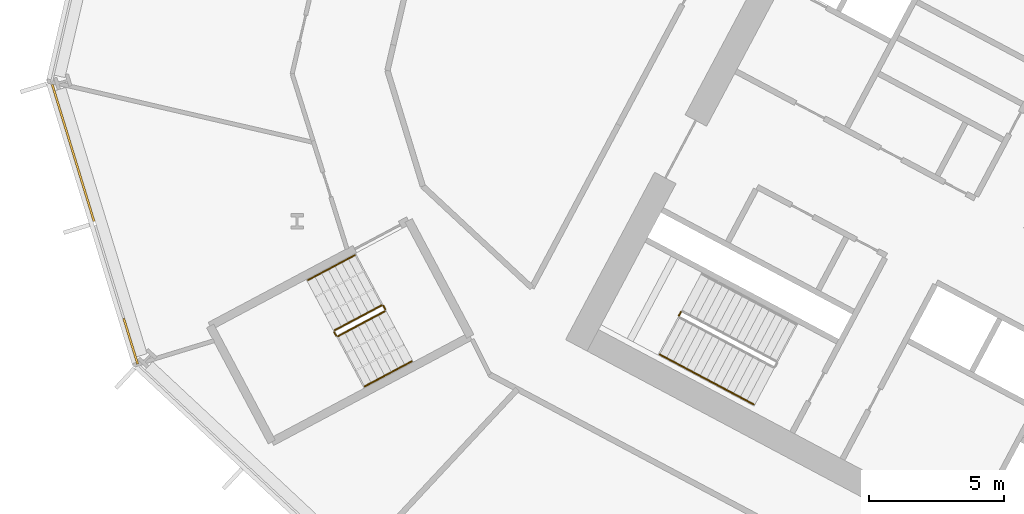
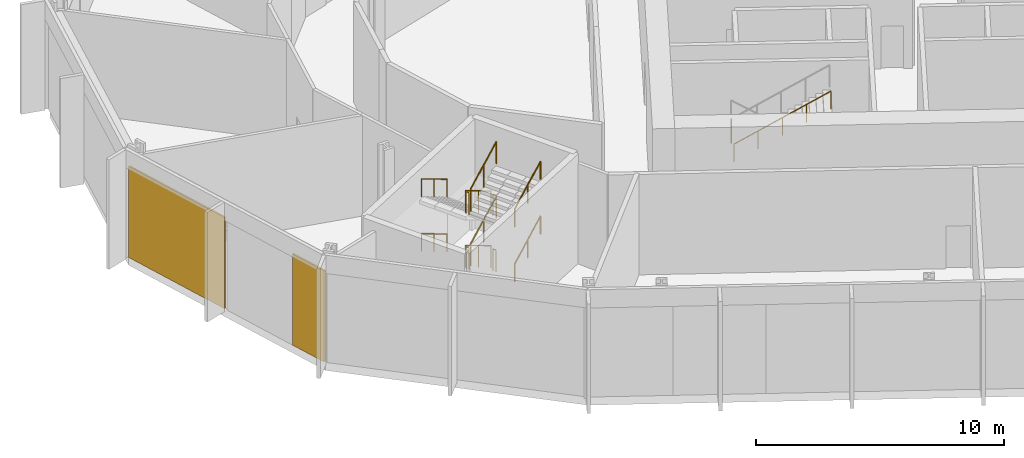
# One storey, part 21 of 30: 14 railings, 2 coverings, 1 element without a shape of its own.
"""IFC4 building model written with IfcOpenShell, lengths in metres."""

from ifc_helpers import new_model, si_unit, direction, frame, origin, origin_2d, place, context, subcontext, project, spatial, polyline, rectangle, outline, extrude, material, layer, layer_set, type_object, element, aggregate, save


model = new_model("IFC4")

# Units and contexts
model_context = context("Model", 3, precision=1e-05, world=origin(), true_north=direction((0.0, 1.0)))
body_context = subcontext(model_context, "Body", "Model", "MODEL_VIEW")
ifc_project = project(units=[si_unit("LENGTHUNIT", "METRE"), si_unit("AREAUNIT", "SQUARE_METRE"), si_unit("VOLUMEUNIT", "CUBIC_METRE"), si_unit("PLANEANGLEUNIT", "RADIAN"), si_unit("MASSUNIT", "GRAM", prefix="KILO")], contexts=[model_context])

# Site, building, storey
site_placement = place(None, origin())
site = spatial("IfcSite", under=ifc_project, at=site_placement, CompositionType="ELEMENT")
building_placement = place(site_placement, origin())
building = spatial("IfcBuilding", under=site, at=building_placement, Name="Cormorant Relay Tower", CompositionType="ELEMENT")
storey_placement = place(building_placement, frame((0.0, 0.0, 55.39990234375)))
storey = spatial("IfcBuildingStorey", under=building, at=storey_placement, Name="L10", CompositionType="ELEMENT", Elevation=55.39990234375)

# Curtain wall, coverings
ifc_material_1 = material(Name="Aluminium 6063-T6 anodised bronze", Category="aluminium")
ifc_layer_1 = layer(ifc_material_1, 0.235107421875)
ifc_layer_set_1 = layer_set([ifc_layer_1], Name="CW6 data hall curtain wall with mineral wool panels")
curtain_wall_type = type_object("IfcCurtainWallType", Name="CW6 data hall curtain wall with mineral wool panels", PredefinedType="NOTDEFINED", material=ifc_layer_set_1)
curtain_wall_placement = place(storey_placement, origin())
curtain_wall = element("IfcCurtainWall", 1, at=curtain_wall_placement, inside=storey, type_object=curtain_wall_type, Name="CW6 curtain wall 12", PredefinedType="NOTDEFINED")
ifc_material_2 = material(Name="Mineral wool cored anodised bronze aluminium cassette panel", Category="aluminium")
ifc_layer_2 = layer(ifc_material_2, 0.074951171875)
ifc_layer_set_2 = layer_set([ifc_layer_2], Name="CW6 mineral wool cassette panel 75")
covering_type = type_object("IfcCoveringType", Name="CW6 mineral wool cassette panel 75", PredefinedType="CLADDING", material=ifc_layer_set_2)
covering_1_placement = place(storey_placement, frame((-59.961181640625, 17.783447265625, 0.0), z_axis=(0.0, 0.0, 1.0), x_axis=(0.292371704723, -0.956304755963, 0.0)))
covering_1 = element("IfcCovering", 2, at=covering_1_placement, type_object=covering_type, Name="CW6 panel S00", PredefinedType="CLADDING", context=body_context, shape_type="SweptSolid", body=[
    extrude(rectangle(XDim=5.28515625, YDim=0.074951171875, at=origin_2d()), origin(), (0.0, 0.0, 1.0), 4.5),
])
covering_2_placement = place(storey_placement, frame((-57.834716796875, 10.82861328125, 0.0), z_axis=(0.0, 0.0, 1.0), x_axis=(0.292371704723, -0.956304755963, 0.0)))
covering_2 = element("IfcCovering", 3, at=covering_2_placement, type_object=covering_type, Name="CW6 panel S02", PredefinedType="CLADDING", context=body_context, shape_type="SweptSolid", body=[
    extrude(rectangle(XDim=1.76025390625, YDim=0.074951171875, at=origin_2d()), origin(), (0.0, 0.0, 1.0), 4.5),
])
aggregate(curtain_wall, [covering_1, covering_2])

# Railings
ifc_material_3 = material(Name="Steel ASTM A572 Grade 50 (Fy 345 MPa)", Category="steel")
railing_type_1 = type_object("IfcRailingType", Name="Stair guard 1100", PredefinedType="GUARDRAIL", material=ifc_material_3)
railing_1_placement = place(storey_placement, frame((-37.52099609375, 11.908935546875, 2.7001953125)))
element("IfcRailing", 4, at=railing_1_placement, inside=storey, type_object=railing_type_1, Name="L10 A2 stair guard 2", PredefinedType="GUARDRAIL", context=body_context, shape_type="SweptSolid", body=[
    extrude(outline(polyline([(0.022216796875, 0.00927734375), (0.00927734375, 0.022216796875), (-0.00927734375, 0.022216796875), (-0.022216796875, 0.00927734375), (-0.022216796875, -0.00927734375), (-0.00927734375, -0.022216796875), (0.00927734375, -0.022216796875), (0.022216796875, -0.00927734375), (0.022216796875, 0.00927734375)])), frame((0.0, 0.0, 1.076171875), z_axis=(-0.469234640946, -0.883073525669, 0.0), x_axis=(0.883073525669, -0.469234640946, 0.0)), (0.0, 0.0, 1.0), 0.14990234375),
    extrude(outline(polyline([(0.019287109375, 0.008056640625), (0.008056640625, 0.019287109375), (-0.008056640625, 0.019287109375), (-0.019287109375, 0.008056640625), (-0.019287109375, -0.008056640625), (-0.008056640625, -0.019287109375), (0.008056640625, -0.019287109375), (0.019287109375, -0.008056640625), (0.019287109375, 0.008056640625)])), origin(), (0.0, 0.0, 1.0), 1.052001953125),
    extrude(outline(polyline([(0.019287109375, 0.008056640625), (0.008056640625, 0.019287109375), (-0.008056640625, 0.019287109375), (-0.019287109375, 0.008056640625), (-0.019287109375, -0.008056640625), (-0.008056640625, -0.019287109375), (0.008056640625, -0.019287109375), (0.019287109375, -0.008056640625), (0.019287109375, 0.008056640625)])), frame((-0.0703125, -0.13232421875, 0.0)), (0.0, 0.0, 1.0), 1.052001953125),
])
railing_2_placement = place(storey_placement, frame((-48.5693359375, 12.155517578125, 0.1689453125)))
element("IfcRailing", 5, at=railing_2_placement, inside=storey, type_object=railing_type_1, Name="L10 RP1 stair guard 1", PredefinedType="GUARDRAIL", context=body_context, shape_type="SweptSolid", body=[
    extrude(outline(polyline([(0.022216796875, 0.00927734375), (0.00927734375, 0.022216796875), (-0.00927734375, 0.022216796875), (-0.022216796875, 0.00927734375), (-0.022216796875, -0.00927734375), (-0.00927734375, -0.022216796875), (0.00927734375, -0.022216796875), (0.022216796875, -0.00927734375), (0.022216796875, 0.00927734375)])), frame((0.0, 0.0, 1.076171875), z_axis=(-0.756267991755, -0.402084082512, 0.516127034012), x_axis=(0.469443581604, -0.882962470149, 0.0)), (0.0, 0.0, 1.0), 2.28857421875),
    extrude(outline(polyline([(0.019287109375, 0.008056640625), (0.008056640625, 0.019287109375), (-0.008056640625, 0.019287109375), (-0.019287109375, 0.008056640625), (-0.019287109375, -0.008056640625), (-0.008056640625, -0.019287109375), (0.008056640625, -0.019287109375), (0.019287109375, -0.008056640625), (0.019287109375, 0.008056640625)])), origin(), (0.0, 0.0, 1.0), 1.052001953125),
    extrude(outline(polyline([(0.019287109375, 0.008056640625), (0.008056640625, 0.019287109375), (-0.008056640625, 0.019287109375), (-0.019287109375, 0.008056640625), (-0.019287109375, -0.008056640625), (-0.008056640625, -0.019287109375), (0.008056640625, -0.019287109375), (0.019287109375, -0.008056640625), (0.019287109375, 0.008056640625)])), frame((-0.865234375, -0.4599609375, 0.590576171875)), (0.0, 0.0, 1.0), 1.052001953125),
    extrude(outline(polyline([(0.019287109375, 0.008056640625), (0.008056640625, 0.019287109375), (-0.008056640625, 0.019287109375), (-0.019287109375, 0.008056640625), (-0.019287109375, -0.008056640625), (-0.008056640625, -0.019287109375), (0.008056640625, -0.019287109375), (0.019287109375, -0.008056640625), (0.019287109375, 0.008056640625)])), frame((-1.730712890625, -0.920166015625, 1.18115234375)), (0.0, 0.0, 1.0), 1.052001953125),
])
railing_3_placement = place(storey_placement, frame((-50.320556640625, 11.167724609375, 1.35009765625)))
element("IfcRailing", 6, at=railing_3_placement, inside=storey, type_object=railing_type_1, Name="L10 RP1 stair guard 2", PredefinedType="GUARDRAIL", context=body_context, shape_type="SweptSolid", body=[
    extrude(outline(polyline([(0.022216796875, 0.00927734375), (0.00927734375, 0.022216796875), (-0.00927734375, 0.022216796875), (-0.022216796875, 0.00927734375), (-0.022216796875, -0.00927734375), (-0.00927734375, -0.022216796875), (0.00927734375, -0.022216796875), (0.022216796875, -0.00927734375), (0.022216796875, 0.00927734375)])), frame((0.0, 0.0, 1.076171875), z_axis=(0.46856034887, -0.8834314911, 0.0), x_axis=(0.8834314911, 0.46856034887, 0.0)), (0.0, 0.0, 1.0), 0.150146484375),
    extrude(outline(polyline([(0.019287109375, 0.008056640625), (0.008056640625, 0.019287109375), (-0.008056640625, 0.019287109375), (-0.019287109375, 0.008056640625), (-0.019287109375, -0.008056640625), (-0.008056640625, -0.019287109375), (0.008056640625, -0.019287109375), (0.019287109375, -0.008056640625), (0.019287109375, 0.008056640625)])), origin(), (0.0, 0.0, 1.0), 1.052001953125),
    extrude(outline(polyline([(0.019287109375, 0.008056640625), (0.008056640625, 0.019287109375), (-0.008056640625, 0.019287109375), (-0.019287109375, 0.008056640625), (-0.019287109375, -0.008056640625), (-0.008056640625, -0.019287109375), (0.008056640625, -0.019287109375), (0.019287109375, -0.008056640625), (0.019287109375, 0.008056640625)])), frame((0.0703125, -0.132568359375, 0.0)), (0.0, 0.0, 1.0), 1.052001953125),
])
railing_4_placement = place(storey_placement, frame((-50.1826171875, 11.014404296875, 1.518798828125)))
element("IfcRailing", 7, at=railing_4_placement, inside=storey, type_object=railing_type_1, Name="L10 RP1 stair guard 3", PredefinedType="GUARDRAIL", context=body_context, shape_type="SweptSolid", body=[
    extrude(outline(polyline([(0.022216796875, 0.00927734375), (0.00927734375, 0.022216796875), (-0.00927734375, 0.022216796875), (-0.022216796875, 0.00927734375), (-0.022216796875, -0.00927734375), (-0.00927734375, -0.022216796875), (0.00927734375, -0.022216796875), (0.022216796875, -0.00927734375), (0.022216796875, 0.00927734375)])), frame((0.0, 0.0, 1.076171875), z_axis=(0.756226349707, 0.402061942735, 0.516205290765), x_axis=(-0.469443581604, 0.882962470149, 0.0)), (0.0, 0.0, 1.0), 2.28857421875),
    extrude(outline(polyline([(0.019287109375, 0.008056640625), (0.008056640625, 0.019287109375), (-0.008056640625, 0.019287109375), (-0.019287109375, 0.008056640625), (-0.019287109375, -0.008056640625), (-0.008056640625, -0.019287109375), (0.008056640625, -0.019287109375), (0.019287109375, -0.008056640625), (0.019287109375, 0.008056640625)])), origin(), (0.0, 0.0, 1.0), 1.052001953125),
    extrude(outline(polyline([(0.019287109375, 0.008056640625), (0.008056640625, 0.019287109375), (-0.008056640625, 0.019287109375), (-0.019287109375, 0.008056640625), (-0.019287109375, -0.008056640625), (-0.008056640625, -0.019287109375), (0.008056640625, -0.019287109375), (0.019287109375, -0.008056640625), (0.019287109375, 0.008056640625)])), frame((0.865234375, 0.4599609375, 0.5908203125)), (0.0, 0.0, 1.0), 1.052001953125),
    extrude(outline(polyline([(0.019287109375, 0.008056640625), (0.008056640625, 0.019287109375), (-0.008056640625, 0.019287109375), (-0.019287109375, 0.008056640625), (-0.019287109375, -0.008056640625), (-0.008056640625, -0.019287109375), (0.008056640625, -0.019287109375), (0.019287109375, -0.008056640625), (0.019287109375, 0.008056640625)])), frame((1.730712890625, 0.920166015625, 1.181396484375)), (0.0, 0.0, 1.0), 1.052001953125),
])
railing_5_placement = place(storey_placement, frame((-48.501708984375, 12.134765625, 2.7001953125)))
element("IfcRailing", 8, at=railing_5_placement, inside=storey, type_object=railing_type_1, Name="L10 RP1 stair guard 4", PredefinedType="GUARDRAIL", context=body_context, shape_type="SweptSolid", body=[
    extrude(outline(polyline([(0.022216796875, 0.00927734375), (0.00927734375, 0.022216796875), (-0.00927734375, 0.022216796875), (-0.022216796875, 0.00927734375), (-0.022216796875, -0.00927734375), (-0.00927734375, -0.022216796875), (0.00927734375, -0.022216796875), (0.022216796875, -0.00927734375), (0.022216796875, 0.00927734375)])), frame((0.0, 0.0, 1.076171875), z_axis=(0.46856034887, -0.8834314911, 0.0), x_axis=(0.8834314911, 0.46856034887, 0.0)), (0.0, 0.0, 1.0), 0.150146484375),
    extrude(outline(polyline([(0.019287109375, 0.008056640625), (0.008056640625, 0.019287109375), (-0.008056640625, 0.019287109375), (-0.019287109375, 0.008056640625), (-0.019287109375, -0.008056640625), (-0.008056640625, -0.019287109375), (0.008056640625, -0.019287109375), (0.019287109375, -0.008056640625), (0.019287109375, 0.008056640625)])), origin(), (0.0, 0.0, 1.0), 1.052001953125),
    extrude(outline(polyline([(0.019287109375, 0.008056640625), (0.008056640625, 0.019287109375), (-0.008056640625, 0.019287109375), (-0.019287109375, 0.008056640625), (-0.019287109375, -0.008056640625), (-0.008056640625, -0.019287109375), (0.008056640625, -0.019287109375), (0.019287109375, -0.008056640625), (0.019287109375, 0.008056640625)])), frame((0.0703125, -0.132568359375, 0.0)), (0.0, 0.0, 1.0), 1.052001953125),
])
railing_6_placement = place(storey_placement, frame((-48.5693359375, 12.155517578125, 2.868896484375)))
element("IfcRailing", 9, at=railing_6_placement, inside=storey, type_object=railing_type_1, Name="L10 RP1 stair guard 5", PredefinedType="GUARDRAIL", context=body_context, shape_type="SweptSolid", body=[
    extrude(outline(polyline([(0.022216796875, 0.00927734375), (0.00927734375, 0.022216796875), (-0.00927734375, 0.022216796875), (-0.022216796875, 0.00927734375), (-0.022216796875, -0.00927734375), (-0.00927734375, -0.022216796875), (0.00927734375, -0.022216796875), (0.022216796875, -0.00927734375), (0.022216796875, 0.00927734375)])), frame((0.0, 0.0, 1.076171875), z_axis=(-0.756267991755, -0.402084082512, 0.516127034012), x_axis=(0.469443581604, -0.882962470149, 0.0)), (0.0, 0.0, 1.0), 2.28857421875),
    extrude(outline(polyline([(0.019287109375, 0.008056640625), (0.008056640625, 0.019287109375), (-0.008056640625, 0.019287109375), (-0.019287109375, 0.008056640625), (-0.019287109375, -0.008056640625), (-0.008056640625, -0.019287109375), (0.008056640625, -0.019287109375), (0.019287109375, -0.008056640625), (0.019287109375, 0.008056640625)])), origin(), (0.0, 0.0, 1.0), 1.052001953125),
    extrude(outline(polyline([(0.019287109375, 0.008056640625), (0.008056640625, 0.019287109375), (-0.008056640625, 0.019287109375), (-0.019287109375, 0.008056640625), (-0.019287109375, -0.008056640625), (-0.008056640625, -0.019287109375), (0.008056640625, -0.019287109375), (0.019287109375, -0.008056640625), (0.019287109375, 0.008056640625)])), frame((-0.865234375, -0.4599609375, 0.590576171875)), (0.0, 0.0, 1.0), 1.052001953125),
    extrude(outline(polyline([(0.019287109375, 0.008056640625), (0.008056640625, 0.019287109375), (-0.008056640625, 0.019287109375), (-0.019287109375, 0.008056640625), (-0.019287109375, -0.008056640625), (-0.008056640625, -0.019287109375), (0.008056640625, -0.019287109375), (0.019287109375, -0.008056640625), (0.019287109375, 0.008056640625)])), frame((-1.730712890625, -0.920166015625, 1.18115234375)), (0.0, 0.0, 1.0), 1.052001953125),
])
railing_7_placement = place(storey_placement, frame((-50.320556640625, 11.167724609375, 4.050048828125)))
element("IfcRailing", 10, at=railing_7_placement, inside=storey, type_object=railing_type_1, Name="L10 RP1 stair guard 6", PredefinedType="GUARDRAIL", context=body_context, shape_type="SweptSolid", body=[
    extrude(outline(polyline([(0.022216796875, 0.00927734375), (0.00927734375, 0.022216796875), (-0.00927734375, 0.022216796875), (-0.022216796875, 0.00927734375), (-0.022216796875, -0.00927734375), (-0.00927734375, -0.022216796875), (0.00927734375, -0.022216796875), (0.022216796875, -0.00927734375), (0.022216796875, 0.00927734375)])), frame((0.0, 0.0, 1.076171875), z_axis=(0.46856034887, -0.8834314911, 0.0), x_axis=(0.8834314911, 0.46856034887, 0.0)), (0.0, 0.0, 1.0), 0.150146484375),
    extrude(outline(polyline([(0.019287109375, 0.008056640625), (0.008056640625, 0.019287109375), (-0.008056640625, 0.019287109375), (-0.019287109375, 0.008056640625), (-0.019287109375, -0.008056640625), (-0.008056640625, -0.019287109375), (0.008056640625, -0.019287109375), (0.019287109375, -0.008056640625), (0.019287109375, 0.008056640625)])), origin(), (0.0, 0.0, 1.0), 1.052001953125),
    extrude(outline(polyline([(0.019287109375, 0.008056640625), (0.008056640625, 0.019287109375), (-0.008056640625, 0.019287109375), (-0.019287109375, 0.008056640625), (-0.019287109375, -0.008056640625), (-0.008056640625, -0.019287109375), (0.008056640625, -0.019287109375), (0.019287109375, -0.008056640625), (0.019287109375, 0.008056640625)])), frame((0.0703125, -0.132568359375, 0.0)), (0.0, 0.0, 1.0), 1.052001953125),
])
railing_8_placement = place(storey_placement, frame((-50.1826171875, 11.014404296875, 4.21875)))
element("IfcRailing", 11, at=railing_8_placement, inside=storey, type_object=railing_type_1, Name="L10 RP1 stair guard 7", PredefinedType="GUARDRAIL", context=body_context, shape_type="SweptSolid", body=[
    extrude(outline(polyline([(0.022216796875, 0.00927734375), (0.00927734375, 0.022216796875), (-0.00927734375, 0.022216796875), (-0.022216796875, 0.00927734375), (-0.022216796875, -0.00927734375), (-0.00927734375, -0.022216796875), (0.00927734375, -0.022216796875), (0.022216796875, -0.00927734375), (0.022216796875, 0.00927734375)])), frame((0.0, 0.0, 1.076171875), z_axis=(0.756226349707, 0.402061942735, 0.516205290765), x_axis=(-0.469443581604, 0.882962470149, 0.0)), (0.0, 0.0, 1.0), 2.28857421875),
    extrude(outline(polyline([(0.019287109375, 0.008056640625), (0.008056640625, 0.019287109375), (-0.008056640625, 0.019287109375), (-0.019287109375, 0.008056640625), (-0.019287109375, -0.008056640625), (-0.008056640625, -0.019287109375), (0.008056640625, -0.019287109375), (0.019287109375, -0.008056640625), (0.019287109375, 0.008056640625)])), origin(), (0.0, 0.0, 1.0), 1.052001953125),
    extrude(outline(polyline([(0.019287109375, 0.008056640625), (0.008056640625, 0.019287109375), (-0.008056640625, 0.019287109375), (-0.019287109375, 0.008056640625), (-0.019287109375, -0.008056640625), (-0.008056640625, -0.019287109375), (0.008056640625, -0.019287109375), (0.019287109375, -0.008056640625), (0.019287109375, 0.008056640625)])), frame((0.865234375, 0.4599609375, 0.5908203125)), (0.0, 0.0, 1.0), 1.052001953125),
    extrude(outline(polyline([(0.019287109375, 0.008056640625), (0.008056640625, 0.019287109375), (-0.008056640625, 0.019287109375), (-0.019287109375, 0.008056640625), (-0.019287109375, -0.008056640625), (-0.008056640625, -0.019287109375), (0.008056640625, -0.019287109375), (0.019287109375, -0.008056640625), (0.019287109375, 0.008056640625)])), frame((1.730712890625, 0.920166015625, 1.181396484375)), (0.0, 0.0, 1.0), 1.052001953125),
])
railing_9_placement = place(storey_placement, frame((-48.501708984375, 12.134765625, 0.0)))
element("IfcRailing", 12, at=railing_9_placement, inside=storey, type_object=railing_type_1, Name="L10 RP1 stair guard 8", PredefinedType="GUARDRAIL", context=body_context, shape_type="SweptSolid", body=[
    extrude(outline(polyline([(0.022216796875, 0.00927734375), (0.00927734375, 0.022216796875), (-0.00927734375, 0.022216796875), (-0.022216796875, 0.00927734375), (-0.022216796875, -0.00927734375), (-0.00927734375, -0.022216796875), (0.00927734375, -0.022216796875), (0.022216796875, -0.00927734375), (0.022216796875, 0.00927734375)])), frame((0.0, 0.0, 1.076171875), z_axis=(0.46856034887, -0.8834314911, 0.0), x_axis=(0.8834314911, 0.46856034887, 0.0)), (0.0, 0.0, 1.0), 0.150146484375),
    extrude(outline(polyline([(0.019287109375, 0.008056640625), (0.008056640625, 0.019287109375), (-0.008056640625, 0.019287109375), (-0.019287109375, 0.008056640625), (-0.019287109375, -0.008056640625), (-0.008056640625, -0.019287109375), (0.008056640625, -0.019287109375), (0.019287109375, -0.008056640625), (0.019287109375, 0.008056640625)])), origin(), (0.0, 0.0, 1.0), 1.052001953125),
    extrude(outline(polyline([(0.019287109375, 0.008056640625), (0.008056640625, 0.019287109375), (-0.008056640625, 0.019287109375), (-0.019287109375, 0.008056640625), (-0.019287109375, -0.008056640625), (-0.008056640625, -0.019287109375), (0.008056640625, -0.019287109375), (0.019287109375, -0.008056640625), (0.019287109375, 0.008056640625)])), frame((0.0703125, -0.132568359375, 0.0)), (0.0, 0.0, 1.0), 1.052001953125),
])
ifc_material_4 = material(Name="Steel ASTM A572 Grade 50 (Fy 345 MPa)", Category="steel")
railing_type_2 = type_object("IfcRailingType", Name="Stair handrail 900", PredefinedType="HANDRAIL", material=ifc_material_4)
railing_10_placement = place(storey_placement, frame((-38.29833984375, 10.34033203125, 2.880126953125)))
element("IfcRailing", 13, at=railing_10_placement, inside=storey, type_object=railing_type_2, Name="L10 A2 stair handrail 2", PredefinedType="HANDRAIL", context=body_context, shape_type="SweptSolid", body=[
    extrude(outline(polyline([(0.022216796875, 0.00927734375), (0.00927734375, 0.022216796875), (-0.00927734375, 0.022216796875), (-0.022216796875, 0.00927734375), (-0.022216796875, -0.00927734375), (-0.00927734375, -0.022216796875), (0.00927734375, -0.022216796875), (0.022216796875, -0.00927734375), (0.022216796875, 0.00927734375)])), frame((0.0, 0.0, 0.8759765625), z_axis=(0.74271721126, -0.394907409077, 0.540758062681), x_axis=(0.469469396681, 0.882948744594, 0.0)), (0.0, 0.0, 1.0), 4.66015625),
    extrude(outline(polyline([(0.019287109375, 0.008056640625), (0.008056640625, 0.019287109375), (-0.008056640625, 0.019287109375), (-0.019287109375, 0.008056640625), (-0.019287109375, -0.008056640625), (-0.008056640625, -0.019287109375), (0.008056640625, -0.019287109375), (0.019287109375, -0.008056640625), (0.019287109375, 0.008056640625)])), origin(), (0.0, 0.0, 1.0), 0.851806640625),
    extrude(outline(polyline([(0.019287109375, 0.008056640625), (0.008056640625, 0.019287109375), (-0.008056640625, 0.019287109375), (-0.019287109375, 0.008056640625), (-0.019287109375, -0.008056640625), (-0.008056640625, -0.019287109375), (0.008056640625, -0.019287109375), (0.019287109375, -0.008056640625), (0.019287109375, 0.008056640625)])), frame((0.865234375, -0.4599609375, 0.6298828125)), (0.0, 0.0, 1.0), 0.851806640625),
    extrude(outline(polyline([(0.019287109375, 0.008056640625), (0.008056640625, 0.019287109375), (-0.008056640625, 0.019287109375), (-0.019287109375, 0.008056640625), (-0.019287109375, -0.008056640625), (-0.008056640625, -0.019287109375), (0.008056640625, -0.019287109375), (0.019287109375, -0.008056640625), (0.019287109375, 0.008056640625)])), frame((1.73046875, -0.920166015625, 1.260009765625)), (0.0, 0.0, 1.0), 0.851806640625),
    extrude(outline(polyline([(0.019287109375, 0.008056640625), (0.008056640625, 0.019287109375), (-0.008056640625, 0.019287109375), (-0.019287109375, 0.008056640625), (-0.019287109375, -0.008056640625), (-0.008056640625, -0.019287109375), (0.008056640625, -0.019287109375), (0.019287109375, -0.008056640625), (0.019287109375, 0.008056640625)])), frame((2.595947265625, -1.38037109375, 1.89013671875)), (0.0, 0.0, 1.0), 0.851806640625),
    extrude(outline(polyline([(0.019287109375, 0.008056640625), (0.008056640625, 0.019287109375), (-0.008056640625, 0.019287109375), (-0.019287109375, 0.008056640625), (-0.019287109375, -0.008056640625), (-0.008056640625, -0.019287109375), (0.008056640625, -0.019287109375), (0.019287109375, -0.008056640625), (0.019287109375, 0.008056640625)])), frame((3.461181640625, -1.84033203125, 2.52001953125)), (0.0, 0.0, 1.0), 0.851806640625),
])
railing_11_placement = place(storey_placement, frame((-49.55517578125, 14.009521484375, 0.1689453125)))
element("IfcRailing", 14, at=railing_11_placement, inside=storey, type_object=railing_type_2, Name="L10 RP1 stair handrail 1", PredefinedType="HANDRAIL", context=body_context, shape_type="SweptSolid", body=[
    extrude(outline(polyline([(0.022216796875, 0.00927734375), (0.00927734375, 0.022216796875), (-0.00927734375, 0.022216796875), (-0.022216796875, 0.00927734375), (-0.022216796875, -0.00927734375), (-0.00927734375, -0.022216796875), (0.00927734375, -0.022216796875), (0.022216796875, -0.00927734375), (0.022216796875, 0.00927734375)])), frame((0.0, 0.0, 0.8759765625), z_axis=(-0.756267991755, -0.402084082512, 0.516127034012), x_axis=(0.469443581604, -0.882962470149, 0.0)), (0.0, 0.0, 1.0), 2.28857421875),
    extrude(outline(polyline([(0.019287109375, 0.008056640625), (0.008056640625, 0.019287109375), (-0.008056640625, 0.019287109375), (-0.019287109375, 0.008056640625), (-0.019287109375, -0.008056640625), (-0.008056640625, -0.019287109375), (0.008056640625, -0.019287109375), (0.019287109375, -0.008056640625), (0.019287109375, 0.008056640625)])), origin(), (0.0, 0.0, 1.0), 0.851806640625),
    extrude(outline(polyline([(0.019287109375, 0.008056640625), (0.008056640625, 0.019287109375), (-0.008056640625, 0.019287109375), (-0.019287109375, 0.008056640625), (-0.019287109375, -0.008056640625), (-0.008056640625, -0.019287109375), (0.008056640625, -0.019287109375), (0.019287109375, -0.008056640625), (0.019287109375, 0.008056640625)])), frame((-0.865234375, -0.4599609375, 0.590576171875)), (0.0, 0.0, 1.0), 0.851806640625),
    extrude(outline(polyline([(0.019287109375, 0.008056640625), (0.008056640625, 0.019287109375), (-0.008056640625, 0.019287109375), (-0.019287109375, 0.008056640625), (-0.019287109375, -0.008056640625), (-0.008056640625, -0.019287109375), (0.008056640625, -0.019287109375), (0.019287109375, -0.008056640625), (0.019287109375, 0.008056640625)])), frame((-1.730712890625, -0.920166015625, 1.18115234375)), (0.0, 0.0, 1.0), 0.851806640625),
])
railing_12_placement = place(storey_placement, frame((-49.19677734375, 9.160400390625, 1.518798828125)))
element("IfcRailing", 15, at=railing_12_placement, inside=storey, type_object=railing_type_2, Name="L10 RP1 stair handrail 2", PredefinedType="HANDRAIL", context=body_context, shape_type="SweptSolid", body=[
    extrude(outline(polyline([(0.022216796875, 0.00927734375), (0.00927734375, 0.022216796875), (-0.00927734375, 0.022216796875), (-0.022216796875, 0.00927734375), (-0.022216796875, -0.00927734375), (-0.00927734375, -0.022216796875), (0.00927734375, -0.022216796875), (0.022216796875, -0.00927734375), (0.022216796875, 0.00927734375)])), frame((0.0, 0.0, 0.8759765625), z_axis=(0.756226349707, 0.402061942735, 0.516205290765), x_axis=(-0.469443581604, 0.882962470149, 0.0)), (0.0, 0.0, 1.0), 2.28857421875),
    extrude(outline(polyline([(0.019287109375, 0.008056640625), (0.008056640625, 0.019287109375), (-0.008056640625, 0.019287109375), (-0.019287109375, 0.008056640625), (-0.019287109375, -0.008056640625), (-0.008056640625, -0.019287109375), (0.008056640625, -0.019287109375), (0.019287109375, -0.008056640625), (0.019287109375, 0.008056640625)])), origin(), (0.0, 0.0, 1.0), 0.851806640625),
    extrude(outline(polyline([(0.019287109375, 0.008056640625), (0.008056640625, 0.019287109375), (-0.008056640625, 0.019287109375), (-0.019287109375, 0.008056640625), (-0.019287109375, -0.008056640625), (-0.008056640625, -0.019287109375), (0.008056640625, -0.019287109375), (0.019287109375, -0.008056640625), (0.019287109375, 0.008056640625)])), frame((0.865234375, 0.4599609375, 0.5908203125)), (0.0, 0.0, 1.0), 0.851806640625),
    extrude(outline(polyline([(0.019287109375, 0.008056640625), (0.008056640625, 0.019287109375), (-0.008056640625, 0.019287109375), (-0.019287109375, 0.008056640625), (-0.019287109375, -0.008056640625), (-0.008056640625, -0.019287109375), (0.008056640625, -0.019287109375), (0.019287109375, -0.008056640625), (0.019287109375, 0.008056640625)])), frame((1.730712890625, 0.920166015625, 1.181396484375)), (0.0, 0.0, 1.0), 0.851806640625),
])
railing_13_placement = place(storey_placement, frame((-49.55517578125, 14.009521484375, 2.868896484375)))
element("IfcRailing", 16, at=railing_13_placement, inside=storey, type_object=railing_type_2, Name="L10 RP1 stair handrail 3", PredefinedType="HANDRAIL", context=body_context, shape_type="SweptSolid", body=[
    extrude(outline(polyline([(0.022216796875, 0.00927734375), (0.00927734375, 0.022216796875), (-0.00927734375, 0.022216796875), (-0.022216796875, 0.00927734375), (-0.022216796875, -0.00927734375), (-0.00927734375, -0.022216796875), (0.00927734375, -0.022216796875), (0.022216796875, -0.00927734375), (0.022216796875, 0.00927734375)])), frame((0.0, 0.0, 0.8759765625), z_axis=(-0.756267991755, -0.402084082512, 0.516127034012), x_axis=(0.469443581604, -0.882962470149, 0.0)), (0.0, 0.0, 1.0), 2.28857421875),
    extrude(outline(polyline([(0.019287109375, 0.008056640625), (0.008056640625, 0.019287109375), (-0.008056640625, 0.019287109375), (-0.019287109375, 0.008056640625), (-0.019287109375, -0.008056640625), (-0.008056640625, -0.019287109375), (0.008056640625, -0.019287109375), (0.019287109375, -0.008056640625), (0.019287109375, 0.008056640625)])), origin(), (0.0, 0.0, 1.0), 0.851806640625),
    extrude(outline(polyline([(0.019287109375, 0.008056640625), (0.008056640625, 0.019287109375), (-0.008056640625, 0.019287109375), (-0.019287109375, 0.008056640625), (-0.019287109375, -0.008056640625), (-0.008056640625, -0.019287109375), (0.008056640625, -0.019287109375), (0.019287109375, -0.008056640625), (0.019287109375, 0.008056640625)])), frame((-0.865234375, -0.4599609375, 0.590576171875)), (0.0, 0.0, 1.0), 0.851806640625),
    extrude(outline(polyline([(0.019287109375, 0.008056640625), (0.008056640625, 0.019287109375), (-0.008056640625, 0.019287109375), (-0.019287109375, 0.008056640625), (-0.019287109375, -0.008056640625), (-0.008056640625, -0.019287109375), (0.008056640625, -0.019287109375), (0.019287109375, -0.008056640625), (0.019287109375, 0.008056640625)])), frame((-1.730712890625, -0.920166015625, 1.18115234375)), (0.0, 0.0, 1.0), 0.851806640625),
])
railing_14_placement = place(storey_placement, frame((-49.19677734375, 9.160400390625, 4.21875)))
element("IfcRailing", 17, at=railing_14_placement, inside=storey, type_object=railing_type_2, Name="L10 RP1 stair handrail 4", PredefinedType="HANDRAIL", context=body_context, shape_type="SweptSolid", body=[
    extrude(outline(polyline([(0.022216796875, 0.00927734375), (0.00927734375, 0.022216796875), (-0.00927734375, 0.022216796875), (-0.022216796875, 0.00927734375), (-0.022216796875, -0.00927734375), (-0.00927734375, -0.022216796875), (0.00927734375, -0.022216796875), (0.022216796875, -0.00927734375), (0.022216796875, 0.00927734375)])), frame((0.0, 0.0, 0.8759765625), z_axis=(0.756226349707, 0.402061942735, 0.516205290765), x_axis=(-0.469443581604, 0.882962470149, 0.0)), (0.0, 0.0, 1.0), 2.28857421875),
    extrude(outline(polyline([(0.019287109375, 0.008056640625), (0.008056640625, 0.019287109375), (-0.008056640625, 0.019287109375), (-0.019287109375, 0.008056640625), (-0.019287109375, -0.008056640625), (-0.008056640625, -0.019287109375), (0.008056640625, -0.019287109375), (0.019287109375, -0.008056640625), (0.019287109375, 0.008056640625)])), origin(), (0.0, 0.0, 1.0), 0.851806640625),
    extrude(outline(polyline([(0.019287109375, 0.008056640625), (0.008056640625, 0.019287109375), (-0.008056640625, 0.019287109375), (-0.019287109375, 0.008056640625), (-0.019287109375, -0.008056640625), (-0.008056640625, -0.019287109375), (0.008056640625, -0.019287109375), (0.019287109375, -0.008056640625), (0.019287109375, 0.008056640625)])), frame((0.865234375, 0.4599609375, 0.5908203125)), (0.0, 0.0, 1.0), 0.851806640625),
    extrude(outline(polyline([(0.019287109375, 0.008056640625), (0.008056640625, 0.019287109375), (-0.008056640625, 0.019287109375), (-0.019287109375, 0.008056640625), (-0.019287109375, -0.008056640625), (-0.008056640625, -0.019287109375), (0.008056640625, -0.019287109375), (0.019287109375, -0.008056640625), (0.019287109375, 0.008056640625)])), frame((1.730712890625, 0.920166015625, 1.181396484375)), (0.0, 0.0, 1.0), 0.851806640625),
])

save(model, "model.ifc")
